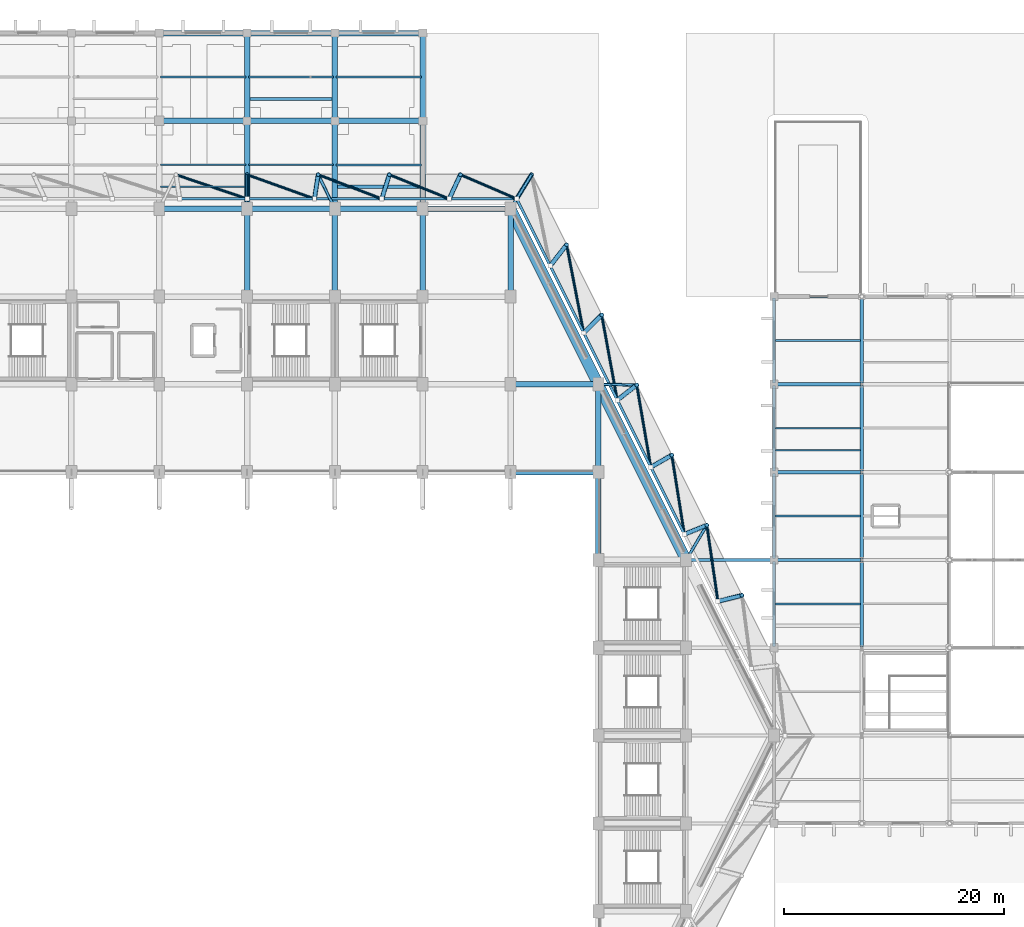
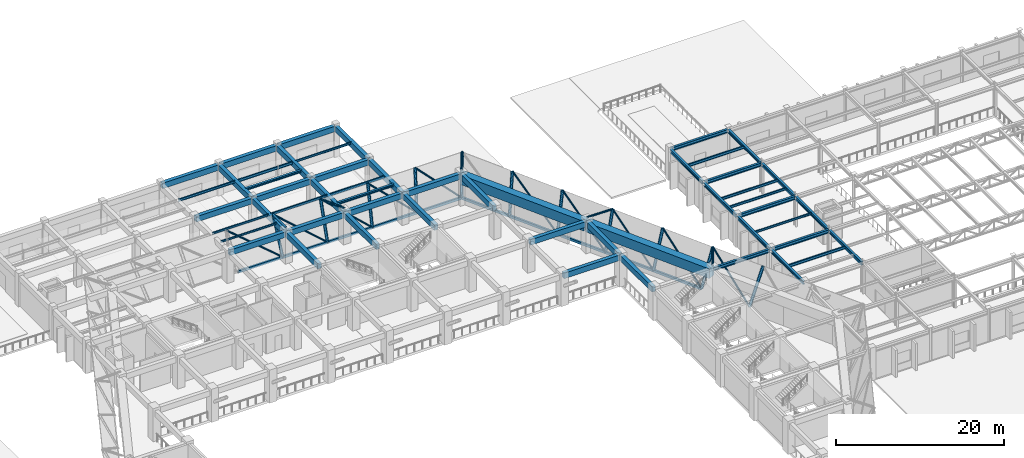
# One storey, part 10 of 46: 53 beams, 36 members.
"""IFC4 building model written with IfcOpenShell, lengths in metres."""

from ifc_helpers import new_model, si_unit, direction, frame, origin, origin_2d, place, context, subcontext, project, spatial, rectangle, hollow_rectangle, hollow_circle, i_section, extrude, material, material_profile, profile_set, type_object, element, save


model = new_model("IFC4")

# Units and contexts
model_context = context("Model", 3, precision=1e-05, world=origin(), true_north=direction((0.0, 1.0)))
body_context = subcontext(model_context, "Body", "Model", "MODEL_VIEW")
ifc_project = project(units=[si_unit("LENGTHUNIT", "METRE"), si_unit("AREAUNIT", "SQUARE_METRE"), si_unit("VOLUMEUNIT", "CUBIC_METRE"), si_unit("PLANEANGLEUNIT", "RADIAN"), si_unit("MASSUNIT", "GRAM", prefix="KILO")], contexts=[model_context])

# Site, building, storey
site_placement = place(None, origin())
site = spatial("IfcSite", under=ifc_project, at=site_placement, CompositionType="ELEMENT")
building_placement = place(site_placement, origin())
building = spatial("IfcBuilding", under=site, at=building_placement, Name="Tazarka Park Arena", CompositionType="ELEMENT")
storey_placement = place(building_placement, frame((0.0, 0.0, 10.199951171875)))
storey = spatial("IfcBuildingStorey", under=building, at=storey_placement, Name="L02", CompositionType="ELEMENT", Elevation=10.199951171875)

# Beams
ifc_material_1 = material(Name="Concrete C40/50", Category="concrete")
ifc_material_profile_1 = material_profile(ifc_material_1, rectangle(XDim=0.5, YDim=0.800048828125, at=origin_2d()), Name="Concrete C40/50")
ifc_profile_set_1 = profile_set([ifc_material_profile_1], Name="Concrete C40/50")
beam_type_1 = type_object("IfcBeamType", Name="BM-B-02", PredefinedType="BEAM", material=ifc_profile_set_1)
for number, where, z_axis, x_axis, name in (
    (1, (80.1201171875, 112.0, 4.02001953125), (1.0, 0.0, 0.0), (0.0, 1.0, 0.0), "GXM-L02-10-14"),
    (2, (80.1201171875, 120.0, 4.02001953125), (1.0, 0.0, 0.0), (0.0, 1.0, 0.0), "GXM-L02-10-15"),
    (3, (88.0, 104.1201171875, 4.02001953125), (0.0, 1.0, 0.0), (-1.0, 0.0, 0.0), "GYM-L02-11-13"),
    (4, (88.1201171875, 112.0, 4.02001953125), (1.0, 0.0, 0.0), (0.0, 1.0, 0.0), "GXM-L02-11-14"),
    (5, (88.0, 112.1201171875, 4.02001953125), (0.0, 1.0, 0.0), (-1.0, 0.0, 0.0), "GYM-L02-11-14"),
    (6, (88.1201171875, 120.0, 4.02001953125), (1.0, 0.0, 0.0), (0.0, 1.0, 0.0), "GXM-L02-11-15"),
    (7, (88.0, 120.1201171875, 4.02001953125), (0.0, 1.0, 0.0), (-1.0, 0.0, 0.0), "GYM-L02-11-15"),
    (8, (96.0, 104.1201171875, 4.02001953125), (0.0, 1.0, 0.0), (-1.0, 0.0, 0.0), "GYM-L02-12-13"),
    (9, (96.1201171875, 112.0, 4.02001953125), (1.0, 0.0, 0.0), (0.0, 1.0, 0.0), "GXM-L02-12-14"),
    (10, (96.0, 112.1201171875, 4.02001953125), (0.0, 1.0, 0.0), (-1.0, 0.0, 0.0), "GYM-L02-12-14"),
    (11, (96.1201171875, 120.0, 4.02001953125), (1.0, 0.0, 0.0), (0.0, 1.0, 0.0), "GXM-L02-12-15"),
    (12, (96.0, 120.1201171875, 4.02001953125), (0.0, 1.0, 0.0), (-1.0, 0.0, 0.0), "GYM-L02-12-15"),
    (13, (104.0, 104.1201171875, 4.02001953125), (0.0, 1.0, 0.0), (-1.0, 0.0, 0.0), "GYM-L02-13-13"),
    (14, (104.1201171875, 112.0, 4.02001953125), (1.0, 0.0, 0.0), (0.0, 1.0, 0.0), "GXM-L02-13-14"),
    (15, (104.0, 112.1201171875, 4.02001953125), (0.0, 1.0, 0.0), (-1.0, 0.0, 0.0), "GYM-L02-13-14"),
    (16, (112.1201171875, 96.0, 4.02001953125), (1.0, 0.0, 0.0), (0.0, 1.0, 0.0), "GXM-L02-14-12"),
):
    element("IfcBeam", number, at=place(storey_placement, frame(where, z_axis=z_axis, x_axis=x_axis)), inside=storey, type_object=beam_type_1, Name=name, PredefinedType="BEAM", context=body_context, shape_type="SweptSolid", body=[
        extrude(rectangle(XDim=0.5, YDim=0.800048828125, at=origin_2d()), origin(), (0.0, 0.0, 1.0), 7.759765625),
    ])
ifc_material_2 = material(Name="Steel S355", Category="steel")
ifc_material_profile_2 = material_profile(ifc_material_2, i_section(OverallWidth=0.300048828125, OverallDepth=0.489990234375, WebThickness=0.011962890625, FlangeThickness=0.02294921875, FilletRadius=0.027099609375, at=origin_2d()), Name="Steel S355")
ifc_profile_set_2 = profile_set([ifc_material_profile_2], Name="Steel S355")
beam_type_2 = type_object("IfcBeamType", Name="BM-B-06", PredefinedType="BEAM", material=ifc_profile_set_2)
for number, where, z_axis, x_axis, name in (
    (17, (136.0, 72.1201171875, 4.175048828125), (0.0, 1.0, 0.0), (-1.0, 0.0, 0.0), "GYM-L02-17-09"),
    (18, (136.1201171875, 80.0, 4.175048828125), (1.0, 0.0, 0.0), (0.0, 1.0, 0.0), "GXM-L02-17-10"),
    (19, (136.0, 80.1201171875, 4.175048828125), (0.0, 1.0, 0.0), (-1.0, 0.0, 0.0), "GYM-L02-17-10"),
    (20, (136.1201171875, 88.0, 4.175048828125), (1.0, 0.0, 0.0), (0.0, 1.0, 0.0), "GXM-L02-17-11"),
    (21, (136.1201171875, 96.0, 4.175048828125), (1.0, 0.0, 0.0), (0.0, 1.0, 0.0), "GXM-L02-17-12"),
    (22, (144.0, 72.1201171875, 4.175048828125), (0.0, 1.0, 0.0), (-1.0, 0.0, 0.0), "GYM-L02-18-09"),
    (23, (144.0, 80.1201171875, 4.175048828125), (0.0, 1.0, 0.0), (-1.0, 0.0, 0.0), "GYM-L02-18-10"),
    (24, (144.0, 88.1201171875, 4.175048828125), (0.0, 1.0, 0.0), (-1.0, 0.0, 0.0), "GYM-L02-18-11"),
    (25, (144.0, 96.1201171875, 4.175048828125), (0.0, 1.0, 0.0), (-1.0, 0.0, 0.0), "GYM-L02-18-12"),
):
    element("IfcBeam", number, at=place(storey_placement, frame(where, z_axis=z_axis, x_axis=x_axis)), inside=storey, type_object=beam_type_2, Name=name, PredefinedType="BEAM", context=body_context, shape_type="SweptSolid", body=[
        extrude(i_section(OverallWidth=0.300048828125, OverallDepth=0.489990234375, WebThickness=0.011962890625, FlangeThickness=0.02294921875, FilletRadius=0.027099609375, at=origin_2d()), origin(), (0.0, 0.0, 1.0), 7.759765625),
    ])
ifc_material_3 = material(Name="Steel S355", Category="steel")
ifc_material_profile_3 = material_profile(ifc_material_3, i_section(OverallWidth=0.14990234375, OverallDepth=0.300048828125, WebThickness=0.007080078125, FlangeThickness=0.0107421875, FilletRadius=0.014892578125, at=origin_2d()), Name="Steel S355")
ifc_profile_set_3 = profile_set([ifc_material_profile_3], Name="Steel S355")
beam_type_3 = type_object("IfcBeamType", Name="BM-J-01", PredefinedType="JOIST", material=ifc_profile_set_3)
for number, where, z_axis, x_axis, name in (
    (26, (80.1201171875, 116.0, 4.27001953125), (1.0, 0.0, 0.0), (0.0, 1.0, 0.0), "JST-L02-10-14"),
    (27, (96.1201171875, 124.0, 4.27001953125), (1.0, 0.0, 0.0), (0.0, 1.0, 0.0), "JST-L02-12-15"),
    (28, (136.1201171875, 84.0, 4.27001953125), (1.0, 0.0, 0.0), (0.0, 1.0, 0.0), "JST-L02-17-10"),
):
    element("IfcBeam", number, at=place(storey_placement, frame(where, z_axis=z_axis, x_axis=x_axis)), inside=storey, type_object=beam_type_3, Name=name, PredefinedType="JOIST", context=body_context, shape_type="SweptSolid", body=[
        extrude(i_section(OverallWidth=0.14990234375, OverallDepth=0.300048828125, WebThickness=0.007080078125, FlangeThickness=0.0107421875, FilletRadius=0.014892578125, at=origin_2d()), origin(), (0.0, 0.0, 1.0), 7.759765625),
    ])
ifc_material_4 = material(Name="Steel S355", Category="steel")
ifc_material_profile_4 = material_profile(ifc_material_4, i_section(OverallWidth=0.169921875, OverallDepth=0.360107421875, WebThickness=0.008056640625, FlangeThickness=0.0126953125, FilletRadius=0.01806640625, at=origin_2d()), Name="Steel S355")
ifc_profile_set_4 = profile_set([ifc_material_profile_4], Name="Steel S355")
beam_type_4 = type_object("IfcBeamType", Name="BM-J-02", PredefinedType="JOIST", material=ifc_profile_set_4)
for number, where, z_axis, x_axis, name in (
    (29, (80.1201171875, 124.0, 4.239990234375), (1.0, 0.0, 0.0), (0.0, 1.0, 0.0), "JST-L02-10-15"),
    (30, (88.1201171875, 116.0, 4.239990234375), (1.0, 0.0, 0.0), (0.0, 1.0, 0.0), "JST-L02-11-14"),
    (31, (136.1201171875, 92.0, 4.239990234375), (1.0, 0.0, 0.0), (0.0, 1.0, 0.0), "JST-L02-17-11"),
):
    element("IfcBeam", number, at=place(storey_placement, frame(where, z_axis=z_axis, x_axis=x_axis)), inside=storey, type_object=beam_type_4, Name=name, PredefinedType="JOIST", context=body_context, shape_type="SweptSolid", body=[
        extrude(i_section(OverallWidth=0.169921875, OverallDepth=0.360107421875, WebThickness=0.008056640625, FlangeThickness=0.0126953125, FilletRadius=0.01806640625, at=origin_2d()), origin(), (0.0, 0.0, 1.0), 7.759765625),
    ])
ifc_material_5 = material(Name="Steel S355", Category="steel")
ifc_material_profile_5 = material_profile(ifc_material_5, i_section(OverallWidth=0.179931640625, OverallDepth=0.39990234375, WebThickness=0.008544921875, FlangeThickness=0.013427734375, FilletRadius=0.02099609375, at=origin_2d()), Name="Steel S355")
ifc_profile_set_5 = profile_set([ifc_material_profile_5], Name="Steel S355")
beam_type_5 = type_object("IfcBeamType", Name="BM-J-03", PredefinedType="JOIST", material=ifc_profile_set_5)
for number, where, z_axis, x_axis, name in (
    (32, (88.1201171875, 124.0, 4.219970703125), (1.0, 0.0, 0.0), (0.0, 1.0, 0.0), "JST-L02-11-15"),
    (33, (96.1201171875, 116.0, 4.219970703125), (1.0, 0.0, 0.0), (0.0, 1.0, 0.0), "JST-L02-12-14"),
    (34, (136.1201171875, 76.0, 4.219970703125), (1.0, 0.0, 0.0), (0.0, 1.0, 0.0), "JST-L02-17-09"),
    (35, (136.1201171875, 100.0, 4.219970703125), (1.0, 0.0, 0.0), (0.0, 1.0, 0.0), "JST-L02-17-12"),
):
    element("IfcBeam", number, at=place(storey_placement, frame(where, z_axis=z_axis, x_axis=x_axis)), inside=storey, type_object=beam_type_5, Name=name, PredefinedType="JOIST", context=body_context, shape_type="SweptSolid", body=[
        extrude(i_section(OverallWidth=0.179931640625, OverallDepth=0.39990234375, WebThickness=0.008544921875, FlangeThickness=0.013427734375, FilletRadius=0.02099609375, at=origin_2d()), origin(), (0.0, 0.0, 1.0), 7.759765625),
    ])
ifc_material_6 = material(Name="Steel S355", Category="steel")
ifc_material_profile_6 = material_profile(ifc_material_6, i_section(OverallWidth=0.135009765625, OverallDepth=0.27001953125, WebThickness=0.006591796875, FlangeThickness=0.01025390625, FilletRadius=0.014892578125, at=origin_2d()), Name="Steel S355")
ifc_profile_set_6 = profile_set([ifc_material_profile_6], Name="Steel S355")
beam_type_6 = type_object("IfcBeamType", Name="BM-J-04", PredefinedType="JOIST", material=ifc_profile_set_6)
beam_1_placement = place(storey_placement, frame((80.1201171875, 114.0, 4.28515625), z_axis=(1.0, 0.0, 0.0), x_axis=(0.0, 1.0, 0.0)))
element("IfcBeam", 36, at=beam_1_placement, inside=storey, type_object=beam_type_6, Name="JST2-L02-10-14", PredefinedType="JOIST", context=body_context, shape_type="SweptSolid", body=[
    extrude(i_section(OverallWidth=0.135009765625, OverallDepth=0.27001953125, WebThickness=0.006591796875, FlangeThickness=0.01025390625, FilletRadius=0.014892578125, at=origin_2d()), origin(), (0.0, 0.0, 1.0), 7.759765625),
])
ifc_material_7 = material(Name="Steel S355", Category="steel")
ifc_material_profile_7 = material_profile(ifc_material_7, i_section(OverallWidth=0.159912109375, OverallDepth=0.330078125, WebThickness=0.007568359375, FlangeThickness=0.011474609375, FilletRadius=0.01806640625, at=origin_2d()), Name="Steel S355")
ifc_profile_set_7 = profile_set([ifc_material_profile_7], Name="Steel S355")
beam_type_7 = type_object("IfcBeamType", Name="BM-J-05", PredefinedType="JOIST", material=ifc_profile_set_7)
beam_2_placement = place(storey_placement, frame((136.1201171875, 90.0, 4.255126953125), z_axis=(1.0, 0.0, 0.0), x_axis=(0.0, 1.0, 0.0)))
element("IfcBeam", 37, at=beam_2_placement, inside=storey, type_object=beam_type_7, Name="JST2-L02-17-11", PredefinedType="JOIST", context=body_context, shape_type="SweptSolid", body=[
    extrude(i_section(OverallWidth=0.159912109375, OverallDepth=0.330078125, WebThickness=0.007568359375, FlangeThickness=0.011474609375, FilletRadius=0.01806640625, at=origin_2d()), origin(), (0.0, 0.0, 1.0), 7.759765625),
])
ifc_material_8 = material(Name="Steel S355", Category="steel")
ifc_material_profile_8 = material_profile(ifc_material_8, i_section(OverallWidth=0.300048828125, OverallDepth=0.330078125, WebThickness=0.009521484375, FlangeThickness=0.0166015625, FilletRadius=0.027099609375, at=origin_2d()), Name="Steel S355")
ifc_profile_set_8 = profile_set([ifc_material_profile_8], Name="Steel S355")
beam_type_8 = type_object("IfcBeamType", Name="BM-J-06", PredefinedType="JOIST", material=ifc_profile_set_8)
for number, where, z_axis, x_axis, name in (
    (38, (88.1201171875, 122.0, 4.255126953125), (1.0, 0.0, 0.0), (0.0, 1.0, 0.0), "JST2-L02-11-15"),
    (39, (96.1201171875, 114.0, 4.255126953125), (1.0, 0.0, 0.0), (0.0, 1.0, 0.0), "JST2-L02-12-14"),
):
    element("IfcBeam", number, at=place(storey_placement, frame(where, z_axis=z_axis, x_axis=x_axis)), inside=storey, type_object=beam_type_8, Name=name, PredefinedType="JOIST", context=body_context, shape_type="SweptSolid", body=[
        extrude(i_section(OverallWidth=0.300048828125, OverallDepth=0.330078125, WebThickness=0.009521484375, FlangeThickness=0.0166015625, FilletRadius=0.027099609375, at=origin_2d()), origin(), (0.0, 0.0, 1.0), 7.759765625),
    ])
ifc_material_9 = material(Name="Concrete C50/60", Category="concrete")
ifc_material_profile_9 = material_profile(ifc_material_9, rectangle(XDim=1.0, YDim=1.39990234375, at=origin_2d()), Name="Concrete C50/60")
ifc_profile_set_9 = profile_set([ifc_material_profile_9], Name="Concrete C50/60")
beam_type_9 = type_object("IfcBeamType", Name="BM-RNG-01", PredefinedType="BEAM", material=ifc_profile_set_9)
for number, where, z_axis, x_axis, name in (
    (40, (127.9462890625, 80.107421875, 3.719970703125), (-0.4472135955, 0.894427191, 0.0), (-0.894427191, -0.4472135955, 0.0), "RING BEAM RNG-01-L02-11"),
    (41, (119.9462890625, 96.107421875, 3.719970703125), (-0.4472135955, 0.894427191, 0.0), (-0.894427191, -0.4472135955, 0.0), "RING BEAM RNG-01-L02-12"),
):
    element("IfcBeam", number, at=place(storey_placement, frame(where, z_axis=z_axis, x_axis=x_axis)), inside=storey, type_object=beam_type_9, Name=name, PredefinedType="BEAM", context=body_context, shape_type="SweptSolid", body=[
        extrude(rectangle(XDim=1.0, YDim=1.39990234375, at=origin_2d()), origin(), (0.0, 0.0, 1.0), 17.6484375),
    ])
ifc_material_10 = material(Name="Concrete C40/50", Category="concrete")
ifc_material_profile_10 = material_profile(ifc_material_10, rectangle(XDim=0.5, YDim=0.800048828125, at=origin_2d()), Name="Concrete C40/50")
ifc_profile_set_10 = profile_set([ifc_material_profile_10], Name="Concrete C40/50")
beam_type_10 = type_object("IfcBeamType", Name="BM-SP-01", PredefinedType="SPANDREL", material=ifc_profile_set_10)
for number, where, z_axis, x_axis, name in (
    (42, (80.1201171875, 128.0, 4.02001953125), (1.0, 0.0, 0.0), (0.0, 1.0, 0.0), "GXM-L02-10-16"),
    (43, (88.1201171875, 128.0, 4.02001953125), (1.0, 0.0, 0.0), (0.0, 1.0, 0.0), "GXM-L02-11-16"),
    (44, (96.1201171875, 128.0, 4.02001953125), (1.0, 0.0, 0.0), (0.0, 1.0, 0.0), "GXM-L02-12-16"),
    (45, (104.0, 120.1201171875, 4.02001953125), (0.0, 1.0, 0.0), (-1.0, 0.0, 0.0), "GYM-L02-13-15"),
    (46, (112.1201171875, 88.0, 4.02001953125), (1.0, 0.0, 0.0), (0.0, 1.0, 0.0), "GXM-L02-14-11"),
    (47, (112.0, 104.1201171875, 4.02001953125), (0.0, 1.0, 0.0), (-1.0, 0.0, 0.0), "GYM-L02-14-13"),
    (48, (120.0, 80.1201171875, 4.02001953125), (0.0, 1.0, 0.0), (-1.0, 0.0, 0.0), "GYM-L02-15-10"),
    (49, (120.0, 88.1201171875, 4.02001953125), (0.0, 1.0, 0.0), (-1.0, 0.0, 0.0), "GYM-L02-15-11"),
):
    element("IfcBeam", number, at=place(storey_placement, frame(where, z_axis=z_axis, x_axis=x_axis)), inside=storey, type_object=beam_type_10, Name=name, PredefinedType="SPANDREL", context=body_context, shape_type="SweptSolid", body=[
        extrude(rectangle(XDim=0.5, YDim=0.800048828125, at=origin_2d()), origin(), (0.0, 0.0, 1.0), 7.759765625),
    ])
ifc_material_11 = material(Name="Steel S355", Category="steel")
ifc_material_profile_11 = material_profile(ifc_material_11, i_section(OverallWidth=0.300048828125, OverallDepth=0.489990234375, WebThickness=0.011962890625, FlangeThickness=0.02294921875, FilletRadius=0.027099609375, at=origin_2d()), Name="Steel S355")
ifc_profile_set_11 = profile_set([ifc_material_profile_11], Name="Steel S355")
beam_type_11 = type_object("IfcBeamType", Name="BM-SP-02", PredefinedType="SPANDREL", material=ifc_profile_set_11)
for number, where, z_axis, x_axis, name in (
    (50, (128.1201171875, 80.0, 4.175048828125), (1.0, 0.0, 0.0), (0.0, 1.0, 0.0), "GXM-L02-16-10"),
    (51, (136.0, 88.1201171875, 4.175048828125), (0.0, 1.0, 0.0), (-1.0, 0.0, 0.0), "GYM-L02-17-11"),
    (52, (136.0, 96.1201171875, 4.175048828125), (0.0, 1.0, 0.0), (-1.0, 0.0, 0.0), "GYM-L02-17-12"),
    (53, (136.1201171875, 104.0, 4.175048828125), (1.0, 0.0, 0.0), (0.0, 1.0, 0.0), "GXM-L02-17-13"),
):
    element("IfcBeam", number, at=place(storey_placement, frame(where, z_axis=z_axis, x_axis=x_axis)), inside=storey, type_object=beam_type_11, Name=name, PredefinedType="SPANDREL", context=body_context, shape_type="SweptSolid", body=[
        extrude(i_section(OverallWidth=0.300048828125, OverallDepth=0.489990234375, WebThickness=0.011962890625, FlangeThickness=0.02294921875, FilletRadius=0.027099609375, at=origin_2d()), origin(), (0.0, 0.0, 1.0), 7.759765625),
    ])

# Members
ifc_material_12 = material(Name="Steel S355", Category="steel")
ifc_material_profile_12 = material_profile(ifc_material_12, hollow_circle(Radius=0.122314453125, WallThickness=0.012451171875, at=origin_2d()), Name="Steel S355")
ifc_profile_set_12 = profile_set([ifc_material_profile_12], Name="Steel S355")
member_type_1 = type_object("IfcMemberType", Name="MEM-BR-05", PredefinedType="BRACE", material=ifc_profile_set_12)
member_1_placement = place(storey_placement, frame((130.893798828125, 76.22509765625, 0.0), z_axis=(-0.118789477503, 0.816526800372, 0.564954019641), x_axis=(-0.989582650937, -0.143965888196, 0.0)))
element("IfcMember", 54, at=member_1_placement, inside=storey, type_object=member_type_1, Name="FLD-18", PredefinedType="BRACE", context=body_context, shape_type="SweptSolid", body=[
    extrude(hollow_circle(Radius=0.122314453125, WallThickness=0.012451171875, at=origin_2d()), origin(), (0.0, 0.0, 1.0), 8.496337890625),
])
member_2_placement = place(storey_placement, frame((127.83740234375, 82.33740234375, 0.0), z_axis=(-0.131185663066, 0.825301968472, 0.549242189423), x_axis=(-0.987601163558, -0.156983890061, 0.0)))
element("IfcMember", 55, at=member_2_placement, inside=storey, type_object=member_type_1, Name="FLD-19", PredefinedType="BRACE", context=body_context, shape_type="SweptSolid", body=[
    extrude(hollow_circle(Radius=0.122314453125, WallThickness=0.012451171875, at=origin_2d()), origin(), (0.0, 0.0, 1.0), 8.739501953125),
])
member_3_placement = place(storey_placement, frame((124.78125, 88.449951171875, 0.0), z_axis=(-0.142878093603, 0.833224615462, 0.534155960892), x_axis=(-0.985614455215, -0.169009306465, 0.0)))
element("IfcMember", 56, at=member_3_placement, inside=storey, type_object=member_type_1, Name="FLD-20", PredefinedType="BRACE", context=body_context, shape_type="SweptSolid", body=[
    extrude(hollow_circle(Radius=0.122314453125, WallThickness=0.012451171875, at=origin_2d()), origin(), (0.0, 0.0, 1.0), 8.986328125),
])
member_4_placement = place(storey_placement, frame((121.72509765625, 94.5625, 0.0), z_axis=(-0.153910648901, 0.840389675735, 0.519669803888), x_axis=(-0.98363992182, -0.180145785965, 0.0)))
element("IfcMember", 57, at=member_4_placement, inside=storey, type_object=member_type_1, Name="FLD-21", PredefinedType="BRACE", context=body_context, shape_type="SweptSolid", body=[
    extrude(hollow_circle(Radius=0.122314453125, WallThickness=0.012451171875, at=origin_2d()), origin(), (0.0, 0.0, 1.0), 9.23681640625),
])
member_5_placement = place(storey_placement, frame((118.668701171875, 100.675048828125, 0.0), z_axis=(-0.164277568101, 0.84688096139, 0.505772199566), x_axis=(-0.981700804417, -0.190429857447, 0.0)))
element("IfcMember", 58, at=member_5_placement, inside=storey, type_object=member_type_1, Name="FLD-22", PredefinedType="BRACE", context=body_context, shape_type="SweptSolid", body=[
    extrude(hollow_circle(Radius=0.122314453125, WallThickness=0.012451171875, at=origin_2d()), origin(), (0.0, 0.0, 1.0), 9.490478515625),
])
member_6_placement = place(storey_placement, frame((112.55615234375, 112.89990234375, 0.0), z_axis=(-0.696066765996, 0.299167955702, 0.652678781298), x_axis=(-0.394870954977, -0.91873659387, 0.0)))
element("IfcMember", 59, at=member_6_placement, inside=storey, type_object=member_type_1, Name="FLD-24", PredefinedType="BRACE", context=body_context, shape_type="SweptSolid", body=[
    extrude(hollow_circle(Radius=0.122314453125, WallThickness=0.012451171875, at=origin_2d()), origin(), (0.0, 0.0, 1.0), 7.3544921875),
])
member_7_placement = place(storey_placement, frame((106.417236328125, 112.89990234375, 0.0), z_axis=(-0.718789445987, 0.289688765585, 0.631998537523), x_axis=(-0.373806628528, -0.927506660067, 0.0)))
element("IfcMember", 60, at=member_7_placement, inside=storey, type_object=member_type_1, Name="FLD-25", PredefinedType="BRACE", context=body_context, shape_type="SweptSolid", body=[
    extrude(hollow_circle(Radius=0.122314453125, WallThickness=0.012451171875, at=origin_2d()), origin(), (0.0, 0.0, 1.0), 7.594970703125),
])
member_8_placement = place(storey_placement, frame((100.278076171875, 112.89990234375, 0.0), z_axis=(-0.739407164777, 0.280534558539, 0.612027291992), x_axis=(-0.354731361378, -0.934968267512, 0.0)))
element("IfcMember", 61, at=member_8_placement, inside=storey, type_object=member_type_1, Name="FLD-26", PredefinedType="BRACE", context=body_context, shape_type="SweptSolid", body=[
    extrude(hollow_circle(Radius=0.122314453125, WallThickness=0.012451171875, at=origin_2d()), origin(), (0.0, 0.0, 1.0), 7.8427734375),
])
member_9_placement = place(storey_placement, frame((94.138916015625, 112.89990234375, 0.0), z_axis=(-0.758135771564, 0.271716825346, 0.59279011353), x_axis=(-0.337386809488, -0.941366103481, 0.0)))
element("IfcMember", 62, at=member_9_placement, inside=storey, type_object=member_type_1, Name="FLD-27", PredefinedType="BRACE", context=body_context, shape_type="SweptSolid", body=[
    extrude(hollow_circle(Radius=0.122314453125, WallThickness=0.012451171875, at=origin_2d()), origin(), (0.0, 0.0, 1.0), 8.097412109375),
])
member_10_placement = place(storey_placement, frame((88.0, 112.89990234375, 0.0), z_axis=(-0.775171183392, 0.263239230715, 0.574294997237), x_axis=(-0.321553453525, -0.946891428056, 0.0)))
element("IfcMember", 63, at=member_10_placement, inside=storey, type_object=member_type_1, Name="FLD-28", PredefinedType="BRACE", context=body_context, shape_type="SweptSolid", body=[
    extrude(hollow_circle(Radius=0.122314453125, WallThickness=0.012451171875, at=origin_2d()), origin(), (0.0, 0.0, 1.0), 8.358154296875),
])
ifc_material_13 = material(Name="Steel S355", Category="steel")
ifc_material_profile_13 = material_profile(ifc_material_13, hollow_circle(Radius=0.136474609375, WallThickness=0.012451171875, at=origin_2d()), Name="Steel S355")
ifc_profile_set_13 = profile_set([ifc_material_profile_13], Name="Steel S355")
member_type_2 = type_object("IfcMemberType", Name="MEM-SR-01", PredefinedType="STRUT", material=ifc_profile_set_13)
member_11_placement = place(storey_placement, frame((128.0, 80.0, 4.800048828125), z_axis=(0.511889523846, 0.859051287978, 0.0), x_axis=(-0.859051287978, 0.511889523846, 0.0)))
element("IfcMember", 64, at=member_11_placement, inside=storey, type_object=member_type_2, Name="FST-10", PredefinedType="STRUT", context=body_context, shape_type="SweptSolid", body=[
    extrude(hollow_circle(Radius=0.136474609375, WallThickness=0.012451171875, at=origin_2d()), origin(), (0.0, 0.0, 1.0), 3.681396484375),
])
member_12_placement = place(storey_placement, frame((120.0, 96.0, 4.800048828125), z_axis=(0.999840354506, -0.017868002147, 0.0), x_axis=(0.017868002147, 0.999840354506, 0.0)))
element("IfcMember", 65, at=member_12_placement, inside=storey, type_object=member_type_2, Name="FST-11", PredefinedType="STRUT", context=body_context, shape_type="SweptSolid", body=[
    extrude(hollow_circle(Radius=0.136474609375, WallThickness=0.012451171875, at=origin_2d()), origin(), (0.0, 0.0, 1.0), 3.497802734375),
])
member_13_placement = place(storey_placement, frame((112.0, 112.0, 4.800048828125), z_axis=(0.525741020847, 0.850644684342, 0.0), x_axis=(-0.850644684342, 0.525741020847, 0.0)))
element("IfcMember", 66, at=member_13_placement, inside=storey, type_object=member_type_2, Name="FST-12", PredefinedType="STRUT", context=body_context, shape_type="SweptSolid", body=[
    extrude(hollow_circle(Radius=0.136474609375, WallThickness=0.012451171875, at=origin_2d()), origin(), (0.0, 0.0, 1.0), 3.64453125),
])
member_14_placement = place(storey_placement, frame((96.0, 112.0, 4.800048828125), z_axis=(-0.440470152774, 0.897767255204, 0.0), x_axis=(-0.897767255204, -0.440470152774, 0.0)))
element("IfcMember", 67, at=member_14_placement, inside=storey, type_object=member_type_2, Name="FST-14", PredefinedType="STRUT", context=body_context, shape_type="SweptSolid", body=[
    extrude(hollow_circle(Radius=0.136474609375, WallThickness=0.012451171875, at=origin_2d()), origin(), (0.0, 0.0, 1.0), 3.453125),
])
member_15_placement = place(storey_placement, frame((88.0, 112.0, 4.800048828125), z_axis=(0.0, 1.0, 0.0), x_axis=(-1.0, 0.0, 0.0)))
element("IfcMember", 68, at=member_15_placement, inside=storey, type_object=member_type_2, Name="FST-15", PredefinedType="STRUT", context=body_context, shape_type="SweptSolid", body=[
    extrude(hollow_circle(Radius=0.136474609375, WallThickness=0.012451171875, at=origin_2d()), origin(), (0.0, 0.0, 1.0), 3.10009765625),
])
ifc_material_14 = material(Name="Steel S460", Category="steel")
ifc_material_profile_14 = material_profile(ifc_material_14, hollow_circle(Radius=0.203125, WallThickness=0.02001953125, at=origin_2d()), Name="Steel S460")
ifc_profile_set_14 = profile_set([ifc_material_profile_14], Name="Steel S460")
member_type_3 = type_object("IfcMemberType", Name="MEM-SR-02", PredefinedType="STRUT", material=ifc_profile_set_14)
member_16_placement = place(storey_placement, frame((130.893798828125, 76.22509765625, 0.0), z_axis=(0.411999036498, 0.103690414639, 0.90526520525), x_axis=(-0.244065353834, 0.969758786017, 0.0)))
element("IfcMember", 69, at=member_16_placement, inside=storey, type_object=member_type_3, Name="FSL-18", PredefinedType="STRUT", context=body_context, shape_type="SweptSolid", body=[
    extrude(hollow_circle(Radius=0.203125, WallThickness=0.02001953125, at=origin_2d()), origin(), (0.0, 0.0, 1.0), 5.30224609375),
])
member_17_placement = place(storey_placement, frame((127.83740234375, 82.33740234375, 0.0), z_axis=(0.387477744413, 0.156192579143, 0.908550975898), x_axis=(-0.373868586994, 0.927481686967, 0.0)))
element("IfcMember", 70, at=member_17_placement, inside=storey, type_object=member_type_3, Name="FSL-19", PredefinedType="STRUT", context=body_context, shape_type="SweptSolid", body=[
    extrude(hollow_circle(Radius=0.203125, WallThickness=0.02001953125, at=origin_2d()), origin(), (0.0, 0.0, 1.0), 5.283203125),
])
member_18_placement = place(storey_placement, frame((124.78125, 88.449951171875, 0.0), z_axis=(0.361555607028, 0.208280435345, 0.908788646099), x_axis=(-0.499166123897, 0.866506307394, 0.0)))
element("IfcMember", 71, at=member_18_placement, inside=storey, type_object=member_type_3, Name="FSL-20", PredefinedType="STRUT", context=body_context, shape_type="SweptSolid", body=[
    extrude(hollow_circle(Radius=0.203125, WallThickness=0.02001953125, at=origin_2d()), origin(), (0.0, 0.0, 1.0), 5.28173828125),
])
member_19_placement = place(storey_placement, frame((121.72509765625, 94.5625, 0.0), z_axis=(0.334488631047, 0.259517835798, 0.905962388073), x_axis=(-0.612998274306, 0.79008424595, 0.0)))
element("IfcMember", 72, at=member_19_placement, inside=storey, type_object=member_type_3, Name="FSL-21", PredefinedType="STRUT", context=body_context, shape_type="SweptSolid", body=[
    extrude(hollow_circle(Radius=0.203125, WallThickness=0.02001953125, at=origin_2d()), origin(), (0.0, 0.0, 1.0), 5.29833984375),
])
member_20_placement = place(storey_placement, frame((118.668701171875, 100.675048828125, 0.0), z_axis=(0.306568887428, 0.309407488238, 0.900156943807), x_axis=(-0.710357795107, 0.703840751115, 0.0)))
element("IfcMember", 73, at=member_20_placement, inside=storey, type_object=member_type_3, Name="FSL-22", PredefinedType="STRUT", context=body_context, shape_type="SweptSolid", body=[
    extrude(hollow_circle(Radius=0.203125, WallThickness=0.02001953125, at=origin_2d()), origin(), (0.0, 0.0, 1.0), 5.33251953125),
])
member_21_placement = place(storey_placement, frame((115.6123046875, 106.78759765625, 0.0), z_axis=(0.278105252266, 0.35750559414, 0.891542045459), x_axis=(-0.789303697824, 0.61400299071, 0.0)))
element("IfcMember", 74, at=member_21_placement, inside=storey, type_object=member_type_3, Name="FSL-23", PredefinedType="STRUT", context=body_context, shape_type="SweptSolid", body=[
    extrude(hollow_circle(Radius=0.203125, WallThickness=0.02001953125, at=origin_2d()), origin(), (0.0, 0.0, 1.0), 5.384033203125),
])
member_22_placement = place(storey_placement, frame((112.55615234375, 112.89990234375, 0.0), z_axis=(0.249398438136, 0.403515031326, 0.880327233788), x_axis=(-0.85063908606, 0.525750078712, 0.0)))
element("IfcMember", 75, at=member_22_placement, inside=storey, type_object=member_type_3, Name="FSL-24", PredefinedType="STRUT", context=body_context, shape_type="SweptSolid", body=[
    extrude(hollow_circle(Radius=0.203125, WallThickness=0.02001953125, at=origin_2d()), origin(), (0.0, 0.0, 1.0), 5.45263671875),
])
member_23_placement = place(storey_placement, frame((106.417236328125, 112.89990234375, 0.0), z_axis=(0.189625110662, 0.40912173744, 0.892559085641), x_axis=(-0.907283439143, 0.42051963219, 0.0)))
element("IfcMember", 76, at=member_23_placement, inside=storey, type_object=member_type_3, Name="FSL-25", PredefinedType="STRUT", context=body_context, shape_type="SweptSolid", body=[
    extrude(hollow_circle(Radius=0.203125, WallThickness=0.02001953125, at=origin_2d()), origin(), (0.0, 0.0, 1.0), 5.3779296875),
])
member_24_placement = place(storey_placement, frame((100.278076171875, 112.89990234375, 0.0), z_axis=(0.127713696948, 0.413269600322, 0.901608256984), x_axis=(-0.955418410897, 0.295255245711, 0.0)))
element("IfcMember", 77, at=member_24_placement, inside=storey, type_object=member_type_3, Name="FSL-26", PredefinedType="STRUT", context=body_context, shape_type="SweptSolid", body=[
    extrude(hollow_circle(Radius=0.203125, WallThickness=0.02001953125, at=origin_2d()), origin(), (0.0, 0.0, 1.0), 5.323974609375),
])
member_25_placement = place(storey_placement, frame((94.138916015625, 112.89990234375, 0.0), z_axis=(0.064274027366, 0.415820197145, 0.907172758108), x_axis=(-0.988263690231, 0.152757581058, 0.0)))
element("IfcMember", 78, at=member_25_placement, inside=storey, type_object=member_type_3, Name="FSL-27", PredefinedType="STRUT", context=body_context, shape_type="SweptSolid", body=[
    extrude(hollow_circle(Radius=0.203125, WallThickness=0.02001953125, at=origin_2d()), origin(), (0.0, 0.0, 1.0), 5.291259765625),
])
member_26_placement = place(storey_placement, frame((88.0, 112.89990234375, 0.0), z_axis=(0.0, 0.416681775475, 0.909052417623), x_axis=(-1.0, 0.0, 0.0)))
element("IfcMember", 79, at=member_26_placement, inside=storey, type_object=member_type_3, Name="FSL-28", PredefinedType="STRUT", context=body_context, shape_type="SweptSolid", body=[
    extrude(hollow_circle(Radius=0.203125, WallThickness=0.02001953125, at=origin_2d()), origin(), (0.0, 0.0, 1.0), 5.2802734375),
])
ifc_material_15 = material(Name="Steel S460", Category="steel")
ifc_material_profile_15 = material_profile(ifc_material_15, hollow_rectangle(XDim=0.25, YDim=0.35009765625, WallThickness=0.012451171875, at=origin_2d()), Name="Steel S460")
ifc_profile_set_15 = profile_set([ifc_material_profile_15], Name="Steel S460")
member_type_4 = type_object("IfcMemberType", Name="MEM-SR-04", PredefinedType="STRUT", material=ifc_profile_set_15)
for number, where, z_axis, x_axis, name in (
    (80, (127.83740234375, 82.33740234375, 0.0), (-0.447199305642, 0.894434335786, 0.0), (-0.894434335786, -0.447199305642, 0.0), "GMB-19"),
    (81, (124.78125, 88.449951171875, 0.0), (-0.447199305642, 0.894434335786, 0.0), (-0.894434335786, -0.447199305642, 0.0), "GMB-20"),
    (82, (121.72509765625, 94.5625, 0.0), (-0.447227885015, 0.8944200461, 0.0), (-0.8944200461, -0.447227885015, 0.0), "GMB-21"),
    (83, (118.668701171875, 100.675048828125, 0.0), (-0.447227885015, 0.8944200461, 0.0), (-0.8944200461, -0.447227885015, 0.0), "GMB-22"),
):
    element("IfcMember", number, at=place(storey_placement, frame(where, z_axis=z_axis, x_axis=x_axis)), inside=storey, type_object=member_type_4, Name=name, PredefinedType="STRUT", context=body_context, shape_type="SweptSolid", body=[
        extrude(hollow_rectangle(XDim=0.25, YDim=0.35009765625, WallThickness=0.012451171875, at=origin_2d()), origin(), (0.0, 0.0, 1.0), 6.833984375),
    ])
member_27_placement = place(storey_placement, frame((115.6123046875, 106.78759765625, 0.0), z_axis=(-0.4472135955, 0.894427191, 0.0), x_axis=(-0.894427191, -0.4472135955, 0.0)))
element("IfcMember", 84, at=member_27_placement, inside=storey, type_object=member_type_4, Name="GMB-23", PredefinedType="STRUT", context=body_context, shape_type="SweptSolid", body=[
    extrude(hollow_rectangle(XDim=0.25, YDim=0.35009765625, WallThickness=0.012451171875, at=origin_2d()), origin(), (0.0, 0.0, 1.0), 6.833740234375),
])
member_28_placement = place(storey_placement, frame((112.55615234375, 112.89990234375, 0.0), z_axis=(-1.0, 0.0, 0.0), x_axis=(0.0, -1.0, 0.0)))
element("IfcMember", 85, at=member_28_placement, inside=storey, type_object=member_type_4, Name="GMB-24", PredefinedType="STRUT", context=body_context, shape_type="SweptSolid", body=[
    extrude(hollow_rectangle(XDim=0.25, YDim=0.35009765625, WallThickness=0.012451171875, at=origin_2d()), origin(), (0.0, 0.0, 1.0), 6.138916015625),
])
for number, where, z_axis, x_axis, name in (
    (86, (106.417236328125, 112.89990234375, 0.0), (-1.0, 0.0, 0.0), (0.0, -1.0, 0.0), "GMB-25"),
    (87, (100.278076171875, 112.89990234375, 0.0), (-1.0, 0.0, 0.0), (0.0, -1.0, 0.0), "GMB-26"),
):
    element("IfcMember", number, at=place(storey_placement, frame(where, z_axis=z_axis, x_axis=x_axis)), inside=storey, type_object=member_type_4, Name=name, PredefinedType="STRUT", context=body_context, shape_type="SweptSolid", body=[
        extrude(hollow_rectangle(XDim=0.25, YDim=0.35009765625, WallThickness=0.012451171875, at=origin_2d()), origin(), (0.0, 0.0, 1.0), 6.13916015625),
    ])
for number, where, z_axis, x_axis, name in (
    (88, (94.138916015625, 112.89990234375, 0.0), (-1.0, 0.0, 0.0), (0.0, -1.0, 0.0), "GMB-27"),
    (89, (88.0, 112.89990234375, 0.0), (-1.0, 0.0, 0.0), (0.0, -1.0, 0.0), "GMB-28"),
):
    element("IfcMember", number, at=place(storey_placement, frame(where, z_axis=z_axis, x_axis=x_axis)), inside=storey, type_object=member_type_4, Name=name, PredefinedType="STRUT", context=body_context, shape_type="SweptSolid", body=[
        extrude(hollow_rectangle(XDim=0.25, YDim=0.35009765625, WallThickness=0.012451171875, at=origin_2d()), origin(), (0.0, 0.0, 1.0), 6.138916015625),
    ])

save(model, "model.ifc")
